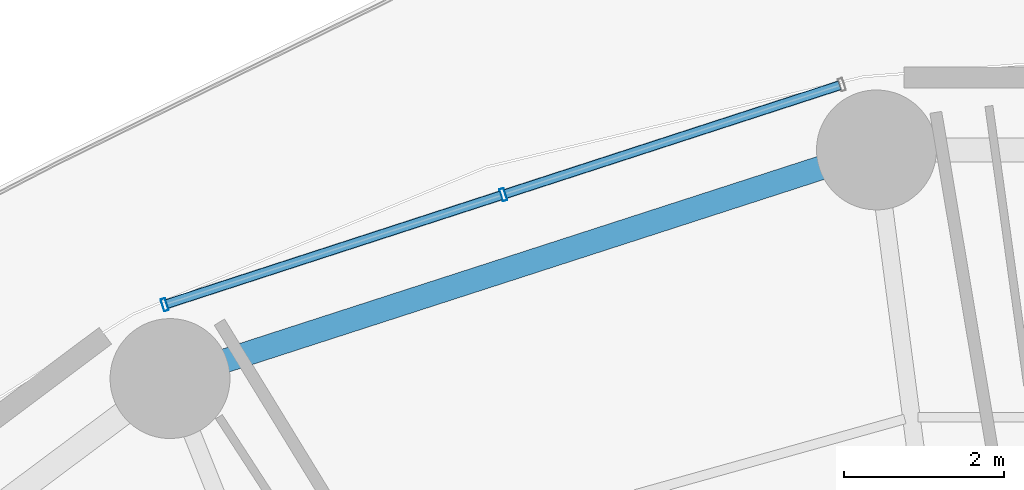
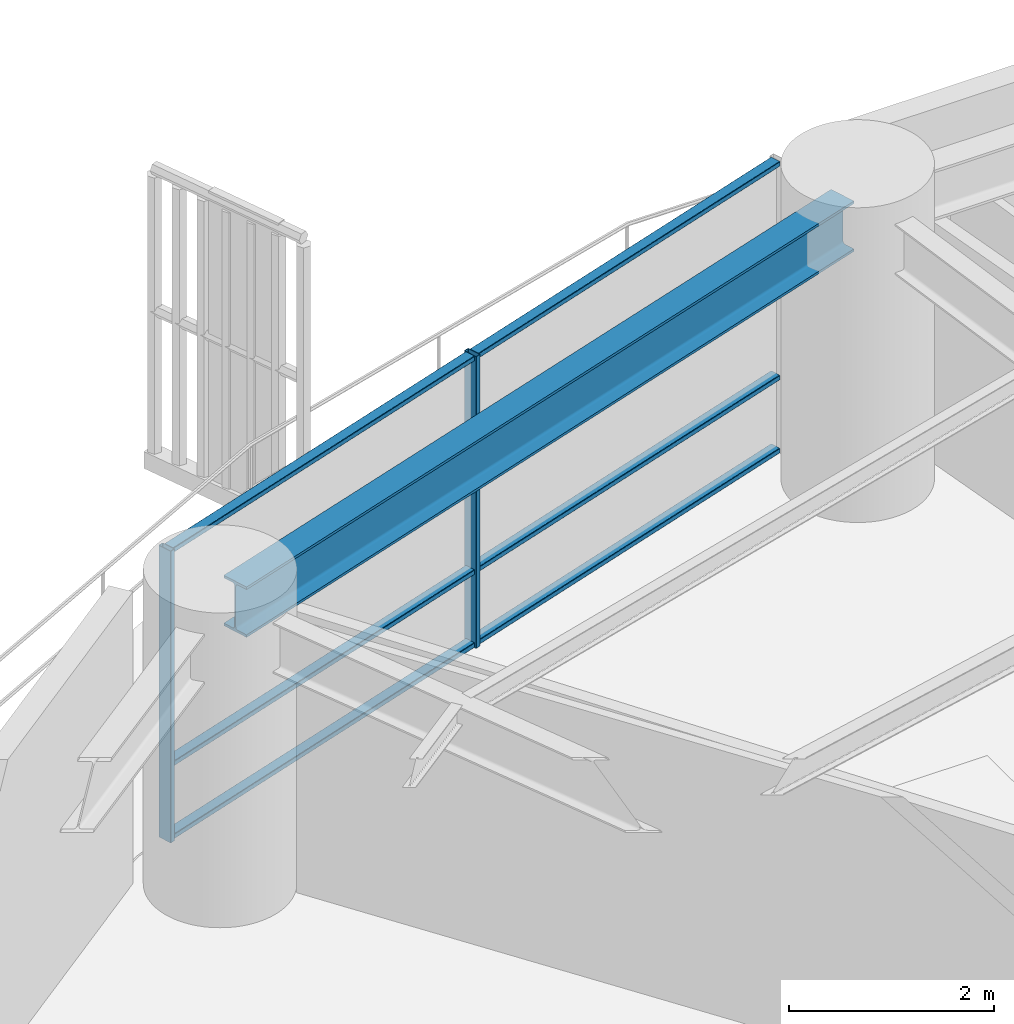
# One storey, part 17 of 33: 8 members, 1 beam, 1 element without a shape of its own.
"""IFC4 building model written with IfcOpenShell, lengths in metres."""

from ifc_helpers import new_model, si_unit, direction, frame, origin, origin_2d, place, context, subcontext, project, spatial, hollow_rectangle, i_section, extrude, material, layer, layer_set, material_profile, profile_set, type_object, element, aggregate, save


model = new_model("IFC4")

# Units and contexts
model_context = context("Model", 3, precision=1e-05, world=origin(), true_north=direction((0.0, 1.0)))
body_context = subcontext(model_context, "Body", "Model", "MODEL_VIEW")
ifc_project = project(units=[si_unit("LENGTHUNIT", "METRE"), si_unit("AREAUNIT", "SQUARE_METRE"), si_unit("VOLUMEUNIT", "CUBIC_METRE"), si_unit("PLANEANGLEUNIT", "RADIAN"), si_unit("MASSUNIT", "GRAM", prefix="KILO")], contexts=[model_context])

# Site, building, storey
site_placement = place(None, origin())
site = spatial("IfcSite", under=ifc_project, at=site_placement, CompositionType="ELEMENT")
building_placement = place(site_placement, origin())
building = spatial("IfcBuilding", under=site, at=building_placement, Name="Kelanora Arch Commons", CompositionType="ELEMENT")
storey_placement = place(building_placement, frame((0.0, 0.0, 37.5)))
storey = spatial("IfcBuildingStorey", under=building, at=storey_placement, Name="L09", CompositionType="ELEMENT", Elevation=37.5)

# Beam
ifc_material_1 = material(Name="Steel S355", Category="steel")
ifc_material_profile_1 = material_profile(ifc_material_1, i_section(OverallWidth=0.300048828125, OverallDepth=0.60009765625, WebThickness=0.015380859375, FlangeThickness=0.030029296875, FilletRadius=0.027099609375, at=origin_2d()), Name="HEB600")
ifc_profile_set_1 = profile_set([ifc_material_profile_1], Name="Steel S355")
beam_type = type_object("IfcBeamType", Name="BM-SPN-Z1", PredefinedType="SPANDREL", material=ifc_profile_set_1)
beam_placement = place(storey_placement, frame((69.08837890625, 81.646484375, 3.18994140625), z_axis=(-0.951411479564, -0.307922387224, 0.0), x_axis=(0.307922387224, -0.951411479564, 0.0)))
element("IfcBeam", 1, at=beam_placement, inside=storey, type_object=beam_type, Name="Perimeter Spandrel Beam BS-10 L09", PredefinedType="SPANDREL", context=body_context, shape_type="SweptSolid", body=[
    extrude(i_section(OverallWidth=0.300048828125, OverallDepth=0.60009765625, WebThickness=0.015380859375, FlangeThickness=0.030029296875, FilletRadius=0.027099609375, at=origin_2d()), origin(), (0.0, 0.0, 1.0), 8.84912109375),
])

# Curtain wall, members
ifc_material_2 = material(Name="Terracotta ceramic-fritted low-E glass and aluminium", Category="masonry")
ifc_layer = layer(ifc_material_2, 0.159912109375)
ifc_layer_set = layer_set([ifc_layer], Name="Terracotta ceramic-fritted low-E glass and aluminium")
curtain_wall_type = type_object("IfcCurtainWallType", Name="CW-SYS-01", PredefinedType="NOTDEFINED", material=ifc_layer_set)
curtain_wall_placement = place(storey_placement, origin())
curtain_wall = element("IfcCurtainWall", 2, at=curtain_wall_placement, inside=storey, type_object=curtain_wall_type, Name="Unitised Curtain Wall L09-B05", PredefinedType="NOTDEFINED")
ifc_material_3 = material(Name="Powder-coated aluminium terracotta", Category="masonry")
ifc_material_profile_2 = material_profile(ifc_material_3, hollow_rectangle(XDim=0.159912109375, YDim=0.06005859375, WallThickness=0.0048828125, InnerFilletRadius=0.0048828125, OuterFilletRadius=0.010009765625, at=origin_2d()), Name="CWM160x60")
ifc_profile_set_2 = profile_set([ifc_material_profile_2], Name="Powder-coated aluminium terracotta")
member_type_1 = type_object("IfcMemberType", Name="CWM-STD", PredefinedType="MULLION", material=ifc_profile_set_2)
member_1_placement = place(storey_placement, frame((64.62890625, 81.15478515625, 0.0), z_axis=(0.0, 0.0, 1.0), x_axis=(0.30905758454, -0.951043326793, 0.0)))
member_1 = element("IfcMember", 3, at=member_1_placement, type_object=member_type_1, Name="CW-01 mullion 2", PredefinedType="MULLION", context=body_context, shape_type="SweptSolid", body=[
    extrude(hollow_rectangle(XDim=0.159912109375, YDim=0.06005859375, WallThickness=0.0048828125, InnerFilletRadius=0.0048828125, OuterFilletRadius=0.010009765625, at=origin_2d()), origin(), (0.0, 0.0, 1.0), 3.47509765625),
])
member_2_placement = place(storey_placement, frame((60.392333984375, 79.778076171875, 0.0), z_axis=(0.0, 0.0, 1.0), x_axis=(0.30905758454, -0.951043326793, 0.0)))
member_2 = element("IfcMember", 4, at=member_2_placement, type_object=member_type_1, Name="CW-01 mullion 3", PredefinedType="MULLION", context=body_context, shape_type="SweptSolid", body=[
    extrude(hollow_rectangle(XDim=0.159912109375, YDim=0.06005859375, WallThickness=0.0048828125, InnerFilletRadius=0.0048828125, OuterFilletRadius=0.010009765625, at=origin_2d()), origin(), (0.0, 0.0, 1.0), 3.47509765625),
])
ifc_material_profile_3 = material_profile(ifc_material_3, hollow_rectangle(XDim=0.1201171875, YDim=0.06005859375, WallThickness=0.0048828125, InnerFilletRadius=0.0048828125, OuterFilletRadius=0.010009765625, at=origin_2d()), Name="CWT120x60")
ifc_profile_set_3 = profile_set([ifc_material_profile_3], Name="Powder-coated aluminium terracotta")
member_type_2 = type_object("IfcMemberType", Name="CWT-STD", PredefinedType="USERDEFINED", material=ifc_profile_set_3)
member_3_placement = place(storey_placement, frame((68.8369140625, 82.5224609375, 0.030029296875), z_axis=(-0.951028761285, -0.309102402464, 0.0), x_axis=(0.309102402464, -0.951028761285, 0.0)))
member_3 = element("IfcMember", 5, at=member_3_placement, type_object=member_type_2, Name="CW-01 transom 1.1", ObjectType="TRANSOM", PredefinedType="USERDEFINED", context=body_context, shape_type="SweptSolid", body=[
    extrude(hollow_rectangle(XDim=0.1201171875, YDim=0.06005859375, WallThickness=0.0048828125, InnerFilletRadius=0.0048828125, OuterFilletRadius=0.010009765625, at=origin_2d()), origin(), (0.0, 0.0, 1.0), 4.394775390625),
])
member_4_placement = place(storey_placement, frame((68.8369140625, 82.5224609375, 0.89990234375), z_axis=(-0.951028761285, -0.309102402464, 0.0), x_axis=(0.309102402464, -0.951028761285, 0.0)))
member_4 = element("IfcMember", 6, at=member_4_placement, type_object=member_type_2, Name="CW-01 transom 1.2", ObjectType="TRANSOM", PredefinedType="USERDEFINED", context=body_context, shape_type="SweptSolid", body=[
    extrude(hollow_rectangle(XDim=0.1201171875, YDim=0.06005859375, WallThickness=0.0048828125, InnerFilletRadius=0.0048828125, OuterFilletRadius=0.010009765625, at=origin_2d()), origin(), (0.0, 0.0, 1.0), 4.394775390625),
])
member_5_placement = place(storey_placement, frame((68.8369140625, 82.5224609375, 3.445068359375), z_axis=(-0.951028761285, -0.309102402464, 0.0), x_axis=(0.309102402464, -0.951028761285, 0.0)))
member_5 = element("IfcMember", 7, at=member_5_placement, type_object=member_type_2, Name="CW-01 transom 1.3", ObjectType="TRANSOM", PredefinedType="USERDEFINED", context=body_context, shape_type="SweptSolid", body=[
    extrude(hollow_rectangle(XDim=0.1201171875, YDim=0.06005859375, WallThickness=0.0048828125, InnerFilletRadius=0.0048828125, OuterFilletRadius=0.010009765625, at=origin_2d()), origin(), (0.0, 0.0, 1.0), 4.394775390625),
])
member_6_placement = place(storey_placement, frame((64.600341796875, 81.1455078125, 0.030029296875), z_axis=(-0.951045091182, -0.309052155047, 0.0), x_axis=(0.309052155047, -0.951045091182, 0.0)))
member_6 = element("IfcMember", 8, at=member_6_placement, type_object=member_type_2, Name="CW-01 transom 2.1", ObjectType="TRANSOM", PredefinedType="USERDEFINED", context=body_context, shape_type="SweptSolid", body=[
    extrude(hollow_rectangle(XDim=0.1201171875, YDim=0.06005859375, WallThickness=0.0048828125, InnerFilletRadius=0.0048828125, OuterFilletRadius=0.010009765625, at=origin_2d()), origin(), (0.0, 0.0, 1.0), 4.39453125),
])
member_7_placement = place(storey_placement, frame((64.600341796875, 81.1455078125, 0.89990234375), z_axis=(-0.951045091182, -0.309052155047, 0.0), x_axis=(0.309052155047, -0.951045091182, 0.0)))
member_7 = element("IfcMember", 9, at=member_7_placement, type_object=member_type_2, Name="CW-01 transom 2.2", ObjectType="TRANSOM", PredefinedType="USERDEFINED", context=body_context, shape_type="SweptSolid", body=[
    extrude(hollow_rectangle(XDim=0.1201171875, YDim=0.06005859375, WallThickness=0.0048828125, InnerFilletRadius=0.0048828125, OuterFilletRadius=0.010009765625, at=origin_2d()), origin(), (0.0, 0.0, 1.0), 4.39453125),
])
member_8_placement = place(storey_placement, frame((64.600341796875, 81.1455078125, 3.445068359375), z_axis=(-0.951045091182, -0.309052155047, 0.0), x_axis=(0.309052155047, -0.951045091182, 0.0)))
member_8 = element("IfcMember", 10, at=member_8_placement, type_object=member_type_2, Name="CW-01 transom 2.3", ObjectType="TRANSOM", PredefinedType="USERDEFINED", context=body_context, shape_type="SweptSolid", body=[
    extrude(hollow_rectangle(XDim=0.1201171875, YDim=0.06005859375, WallThickness=0.0048828125, InnerFilletRadius=0.0048828125, OuterFilletRadius=0.010009765625, at=origin_2d()), origin(), (0.0, 0.0, 1.0), 4.39453125),
])
aggregate(curtain_wall, [member_1, member_2, member_3, member_4, member_5, member_6, member_7, member_8])

save(model, "model.ifc")
